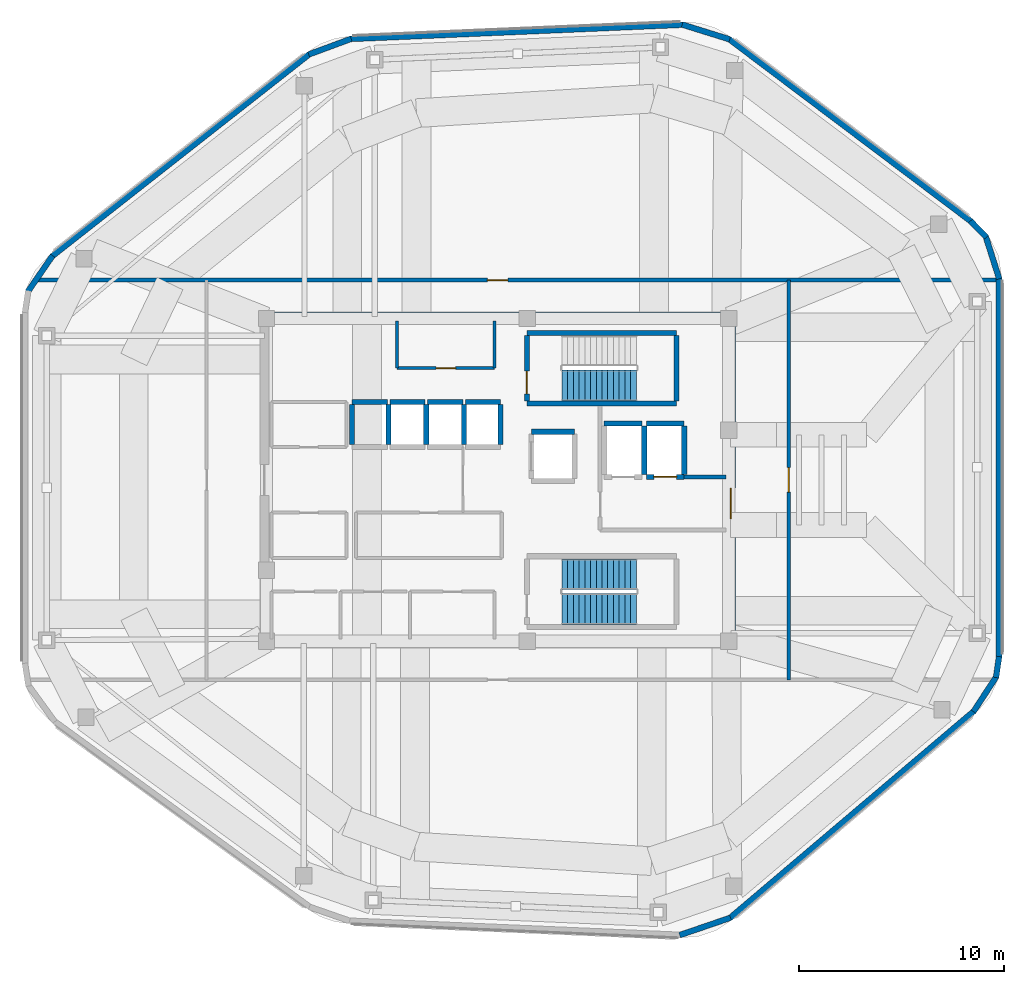
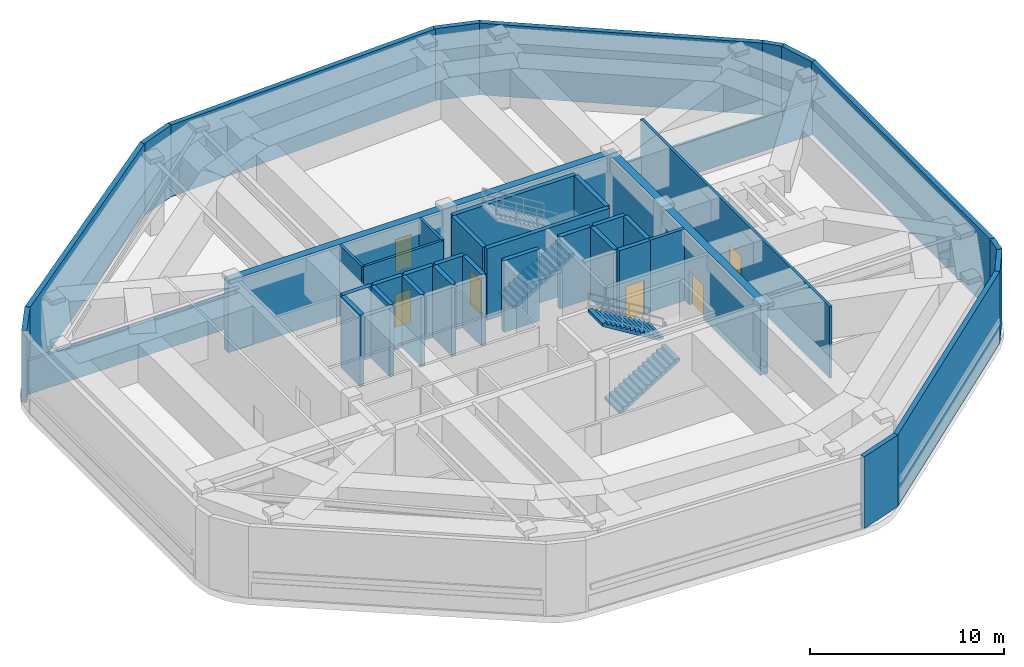
# One storey, part 4 of 7: 40 walls, 6 doors, 3 stair flights, 6 openings, 2 elements without a shape of their own.
"""IFC4 building model written with IfcOpenShell, lengths in metres."""

from ifc_helpers import new_model, si_unit, direction, frame, frame_2d, origin, place, context, subcontext, project, spatial, polyline, rectangle, outline, extrude, material, layer, layer_set, type_object, element, fill, aggregate, save


model = new_model("IFC4")

# Units and contexts
model_context = context("Model", 3, precision=1e-05, world=origin(), true_north=direction((0.0, 1.0)))
body_context = subcontext(model_context, "Body", "Model", "MODEL_VIEW")
ifc_project = project(units=[si_unit("LENGTHUNIT", "METRE"), si_unit("AREAUNIT", "SQUARE_METRE"), si_unit("VOLUMEUNIT", "CUBIC_METRE"), si_unit("PLANEANGLEUNIT", "RADIAN"), si_unit("MASSUNIT", "GRAM", prefix="KILO")], contexts=[model_context])

# Site, building, storey
site_placement = place(None, origin())
site = spatial("IfcSite", under=ifc_project, at=site_placement, CompositionType="ELEMENT")
building_placement = place(site_placement, origin())
building = spatial("IfcBuilding", under=site, at=building_placement, Name="Zulverin Broadcast Headquarters", CompositionType="ELEMENT")
storey_placement = place(building_placement, frame((0.0, 0.0, 308.60009765625)))
storey = spatial("IfcBuildingStorey", under=building, at=storey_placement, Name="L79", CompositionType="ELEMENT", Elevation=308.60009765625)

# Wall
ifc_material_1 = material(Name="Concrete C50/60", Category="concrete")
ifc_layer_1 = layer(ifc_material_1, 0.449951171875, Name="Concrete C50/60", Category="concrete")
ifc_layer_set_1 = layer_set([ifc_layer_1], Name="Concrete C50/60")
wall_type_1 = type_object("IfcWallType", Name="WL-CORE-450", PredefinedType="SHEAR", material=ifc_layer_set_1)
wall_1_placement = place(storey_placement, frame((25.39990234375, 33.175048828125, 0.0), z_axis=(0.0, 0.0, 1.0), x_axis=(1.0, 0.0, 0.0)))
element("IfcWall", 1, at=wall_1_placement, inside=storey, type_object=wall_type_1, Name="L79 Core North Shear Wall", PredefinedType="SHEAR", context=body_context, shape_type="SweptSolid", body=[
    extrude(rectangle(XDim=23.2001953125, YDim=0.449951171875, at=frame_2d((11.60009765625, 0.0))), origin(), (0.0, 0.0, 1.0), 4.52001953125),
])

# Wall, opening, door
wall_2_placement = place(storey_placement, frame((48.375, 17.449951171875, 0.0), z_axis=(0.0, 0.0, 1.0), x_axis=(0.0, 1.0, 0.0)))
wall_2 = element("IfcWall", 2, at=wall_2_placement, inside=storey, type_object=wall_type_1, Name="L79 Core East Shear Wall", PredefinedType="SHEAR", context=body_context, shape_type="SweptSolid", body=[
    extrude(rectangle(XDim=15.5, YDim=0.449951171875, at=frame_2d((7.75, 0.0))), origin(), (0.0, 0.0, 1.0), 4.52001953125),
])
opening_1_placement = place(wall_2_placement, frame((5.85009765625, 0.0, 0.0)))
opening_1 = element("IfcOpeningElement", 3, at=opening_1_placement, cuts=wall_2, Name="Opening D-L79-CE1", PredefinedType="OPENING", context=body_context, shape_type="SweptSolid", body=[
    extrude(rectangle(XDim=1.5, YDim=2.14990234375, at=frame_2d((0.75, 1.074951171875))), frame((0.0, 0.23486328125, 0.0), z_axis=(0.0, -1.0, 0.0), x_axis=(1.0, 0.0, 0.0)), (0.0, 0.0, 1.0), 0.469970703125),
])
ifc_material_2 = material(Name="Fire-rated glazed steel frame", Category="steel")
door_type_1 = type_object("IfcDoorType", Name="DR-COR-1500", OperationType="DOUBLE_DOOR_SINGLE_SWING", PredefinedType="DOOR", material=ifc_material_2)
door_1_placement = place(opening_1_placement, origin())
door_1 = element("IfcDoor", 4, at=door_1_placement, inside=storey, type_object=door_type_1, Name="L79 Firefighting Lobby East Corridor Door", OperationType="DOUBLE_DOOR_SINGLE_SWING", OverallHeight=2.14990234375, OverallWidth=1.5, PredefinedType="DOOR", context=body_context, shape_type="SweptSolid", body=[
    extrude(rectangle(XDim=1.5, YDim=2.14990234375, at=frame_2d((0.75, 1.074951171875))), frame((0.0, 0.02490234375, 0.0), z_axis=(0.0, -1.0, 0.0), x_axis=(1.0, 0.0, 0.0)), (0.0, 0.0, 1.0), 0.050048828125),
])
fill(opening_1, door_1)

# Walls
ifc_material_3 = material(Name="Insulated pale-metal clad concrete spandrel C40/50", Category="concrete")
ifc_layer_2 = layer(ifc_material_3, 0.280029296875, Name="Insulated pale-metal clad concrete spandrel C40/50", Category="concrete")
ifc_layer_set_2 = layer_set([ifc_layer_2], Name="Insulated pale-metal clad concrete spandrel C40/50")
wall_type_2 = type_object("IfcWallType", Name="WL-EXT-280", PredefinedType="STANDARD", material=ifc_layer_set_2)
wall_3_placement = place(storey_placement, frame((48.31591796875, 3.81787109375, 0.0), z_axis=(0.0, 0.0, 1.0), x_axis=(0.762789291165, 0.646647119598, 0.0)))
element("IfcWall", 5, at=wall_3_placement, inside=storey, type_object=wall_type_2, Name="L79 Pale-Metal Clad Spandrel Wall 2", PredefinedType="STANDARD", context=body_context, shape_type="SweptSolid", body=[
    extrude(rectangle(XDim=15.62890625, YDim=0.280029296875, at=frame_2d((7.814453125, 0.0))), origin(), (0.0, 0.0, 1.0), 4.52001953125),
])
wall_4_placement = place(storey_placement, frame((61.4599609375, 16.563720703125, 0.0), z_axis=(0.0, 0.0, 1.0), x_axis=(0.0, 1.0, 0.0)))
element("IfcWall", 6, at=wall_4_placement, inside=storey, type_object=wall_type_2, Name="L79 Pale-Metal Clad Spandrel Wall 3", PredefinedType="STANDARD", context=body_context, shape_type="SweptSolid", body=[
    extrude(rectangle(XDim=18.4892578125, YDim=0.280029296875, at=frame_2d((9.24462890625, 0.0))), origin(), (0.0, 0.0, 1.0), 4.52001953125),
])
wall_5_placement = place(storey_placement, frame((60.082275390625, 37.81640625, 0.0), z_axis=(0.0, 0.0, 1.0), x_axis=(-0.798634170009, 0.601816801438, 0.0)))
element("IfcWall", 7, at=wall_5_placement, inside=storey, type_object=wall_type_2, Name="L79 Pale-Metal Clad Spandrel Wall 4", PredefinedType="STANDARD", context=body_context, shape_type="SweptSolid", body=[
    extrude(rectangle(XDim=14.77978515625, YDim=0.280029296875, at=frame_2d((7.389892578125, 0.0))), origin(), (0.0, 0.0, 1.0), 4.52001953125),
])
wall_6_placement = place(storey_placement, frame((46.04833984375, 47.40478515625, 0.0), z_axis=(0.0, 0.0, 1.0), x_axis=(-0.999084905352, -0.0427709235, 0.0)))
element("IfcWall", 8, at=wall_6_placement, inside=storey, type_object=wall_type_2, Name="L79 Pale-Metal Clad Spandrel Wall 5", PredefinedType="STANDARD", context=body_context, shape_type="SweptSolid", body=[
    extrude(rectangle(XDim=16.2509765625, YDim=0.280029296875, at=frame_2d((8.12548828125, 0.0))), origin(), (0.0, 0.0, 1.0), 4.52001953125),
])
wall_7_placement = place(storey_placement, frame((27.822998046875, 45.9736328125, 0.0), z_axis=(0.0, 0.0, 1.0), x_axis=(-0.786382513527, -0.617739866303, 0.0)))
element("IfcWall", 9, at=wall_7_placement, inside=storey, type_object=wall_type_2, Name="L79 Pale-Metal Clad Spandrel Wall 6", PredefinedType="STANDARD", context=body_context, shape_type="SweptSolid", body=[
    extrude(rectangle(XDim=15.97216796875, YDim=0.280029296875, at=frame_2d((7.986083984375, 0.0))), origin(), (0.0, 0.0, 1.0), 4.52001953125),
])
wall_8_placement = place(storey_placement, frame((45.879150390625, 2.99267578125, 0.0), z_axis=(0.0, 0.0, 1.0), x_axis=(0.945959811021, 0.324283881704, 0.0)))
element("IfcWall", 10, at=wall_8_placement, inside=storey, type_object=wall_type_2, Name="L79 Wind-Shaped Corner Spandrel Wall 1-1", PredefinedType="STANDARD", context=body_context, shape_type="SweptSolid", body=[
    extrude(rectangle(XDim=2.623779296875, YDim=0.280029296875, at=frame_2d((1.31201171875, 0.0))), origin(), (0.0, 0.0, 1.0), 4.52001953125),
])
wall_9_placement = place(storey_placement, frame((60.210693359375, 13.89404296875, 0.0), z_axis=(0.0, 0.0, 1.0), x_axis=(0.546663025999, 0.837352695109, 0.0)))
element("IfcWall", 11, at=wall_9_placement, inside=storey, type_object=wall_type_2, Name="L79 Wind-Shaped Corner Spandrel Wall 2-1", PredefinedType="STANDARD", context=body_context, shape_type="SweptSolid", body=[
    extrude(rectangle(XDim=2.053466796875, YDim=0.280029296875, at=frame_2d((1.02685546875, 0.0))), origin(), (0.0, 0.0, 1.0), 4.52001953125),
])
wall_10_placement = place(storey_placement, frame((61.31201171875, 15.55712890625, 0.0), z_axis=(0.0, 0.0, 1.0), x_axis=(0.144023647734, 0.989574246276, 0.0)))
element("IfcWall", 12, at=wall_10_placement, inside=storey, type_object=wall_type_2, Name="L79 Wind-Shaped Corner Spandrel Wall 2-2", PredefinedType="STANDARD", context=body_context, shape_type="SweptSolid", body=[
    extrude(rectangle(XDim=1.037353515625, YDim=0.280029296875, at=frame_2d((0.5185546875, 0.0))), origin(), (0.0, 0.0, 1.0), 4.52001953125),
])
wall_11_placement = place(storey_placement, frame((61.466552734375, 35.010498046875, 0.0), z_axis=(0.0, 0.0, 1.0), x_axis=(-0.303461906599, 0.952843571235, 0.0)))
element("IfcWall", 13, at=wall_11_placement, inside=storey, type_object=wall_type_2, Name="L79 Wind-Shaped Corner Spandrel Wall 3-1", PredefinedType="STANDARD", context=body_context, shape_type="SweptSolid", body=[
    extrude(rectangle(XDim=2.18505859375, YDim=0.280029296875, at=frame_2d((1.092529296875, 0.0))), origin(), (0.0, 0.0, 1.0), 4.52001953125),
])
wall_12_placement = place(storey_placement, frame((60.83642578125, 37.03759765625, 0.0), z_axis=(0.0, 0.0, 1.0), x_axis=(-0.69665259331, 0.717408645219, 0.0)))
element("IfcWall", 14, at=wall_12_placement, inside=storey, type_object=wall_type_2, Name="L79 Wind-Shaped Corner Spandrel Wall 3-2", PredefinedType="STANDARD", context=body_context, shape_type="SweptSolid", body=[
    extrude(rectangle(XDim=1.105712890625, YDim=0.280029296875, at=frame_2d((0.552734375, 0.0))), origin(), (0.0, 0.0, 1.0), 4.52001953125),
])
wall_13_placement = place(storey_placement, frame((48.3212890625, 46.689453125, 0.0), z_axis=(0.0, 0.0, 1.0), x_axis=(-0.954888433756, 0.296964777505, 0.0)))
element("IfcWall", 15, at=wall_13_placement, inside=storey, type_object=wall_type_2, Name="L79 Wind-Shaped Corner Spandrel Wall 4-1", PredefinedType="STANDARD", context=body_context, shape_type="SweptSolid", body=[
    extrude(rectangle(XDim=2.43017578125, YDim=0.280029296875, at=frame_2d((1.215087890625, 0.0))), origin(), (0.0, 0.0, 1.0), 4.52001953125),
])
wall_14_placement = place(storey_placement, frame((29.854736328125, 46.71826171875, 0.0), z_axis=(0.0, 0.0, 1.0), x_axis=(-0.937856802349, -0.347022504007, 0.0)))
element("IfcWall", 16, at=wall_14_placement, inside=storey, type_object=wall_type_2, Name="L79 Wind-Shaped Corner Spandrel Wall 5-1", PredefinedType="STANDARD", context=body_context, shape_type="SweptSolid", body=[
    extrude(rectangle(XDim=2.20703125, YDim=0.280029296875, at=frame_2d((1.103515625, 0.0))), origin(), (0.0, 0.0, 1.0), 4.52001953125),
])
wall_15_placement = place(storey_placement, frame((15.29150390625, 36.1376953125, 0.0), z_axis=(0.0, 0.0, 1.0), x_axis=(-0.567356835945, -0.823472052171, 0.0)))
element("IfcWall", 17, at=wall_15_placement, inside=storey, type_object=wall_type_2, Name="L79 Wind-Shaped Corner Spandrel Wall 6-1", PredefinedType="STANDARD", context=body_context, shape_type="SweptSolid", body=[
    extrude(rectangle(XDim=2.13916015625, YDim=0.280029296875, at=frame_2d((1.069580078125, 0.0))), origin(), (0.0, 0.0, 1.0), 4.52001953125),
])
ifc_material_4 = material(Name="Concrete C40/50", Category="concrete")
ifc_layer_3 = layer(ifc_material_4, 0.199951171875, Name="Concrete C40/50", Category="concrete")
ifc_layer_set_3 = layer_set([ifc_layer_3], Name="Concrete C40/50")
wall_type_3 = type_object("IfcWallType", Name="WL-FFL-200", PredefinedType="SOLIDWALL", material=ifc_layer_set_3)
wall_16_placement = place(storey_placement, frame((46.10009765625, 25.35009765625, 0.0), z_axis=(0.0, 0.0, 1.0), x_axis=(1.0, 0.0, 0.0)))
element("IfcWall", 18, at=wall_16_placement, inside=storey, type_object=wall_type_3, Name="L79 Firefighting Lift Lobby North Wall", PredefinedType="SOLIDWALL", context=body_context, shape_type="SweptSolid", body=[
    extrude(rectangle(XDim=2.0498046875, YDim=0.199951171875, at=frame_2d((1.02490234375, 0.0))), origin(), (0.0, 0.0, 1.0), 4.52001953125),
])

# Wall, opening, door
ifc_material_5 = material(Name="Fire-rated gypsum stud partition", Category="gypsum")
ifc_layer_4 = layer(ifc_material_5, 0.14990234375, Name="Fire-rated gypsum stud partition", Category="gypsum")
ifc_layer_set_4 = layer_set([ifc_layer_4], Name="Fire-rated gypsum stud partition")
wall_type_4 = type_object("IfcWallType", Name="WL-PART-150", PredefinedType="PARTITIONING", material=ifc_layer_set_4)
wall_17_placement = place(storey_placement, frame((32.10009765625, 30.64990234375, 0.0), z_axis=(0.0, 0.0, 1.0), x_axis=(1.0, 0.0, 0.0)))
wall_17 = element("IfcWall", 19, at=wall_17_placement, inside=storey, type_object=wall_type_4, Name="L79 Core Accessible WC & Electrical Riser Front Wall", PredefinedType="PARTITIONING", context=body_context, shape_type="SweptSolid", body=[
    extrude(rectangle(XDim=4.75, YDim=0.14990234375, at=frame_2d((2.375, 0.0))), origin(), (0.0, 0.0, 1.0), 4.52001953125),
])
opening_2_placement = place(wall_17_placement, frame((1.89990234375, 0.0, 0.0)))
opening_2 = element("IfcOpeningElement", 20, at=opening_2_placement, cuts=wall_17, Name="Opening D-L79-NC1", PredefinedType="OPENING", context=body_context, shape_type="SweptSolid", body=[
    extrude(rectangle(XDim=0.949951171875, YDim=2.10009765625, at=frame_2d((0.47509765625, 1.050048828125))), frame((0.0, 0.0849609375, 0.0), z_axis=(0.0, -1.0, 0.0), x_axis=(1.0, 0.0, 0.0)), (0.0, 0.0, 1.0), 0.169921875),
])
ifc_material_6 = material(Name="Fire-rated moisture-resistant laminate leaf", Category="wood")
door_type_2 = type_object("IfcDoorType", Name="DR-WC-950", OperationType="SINGLE_SWING_LEFT", PredefinedType="DOOR", material=ifc_material_6)
door_2_placement = place(opening_2_placement, origin())
door_2 = element("IfcDoor", 21, at=door_2_placement, inside=storey, type_object=door_type_2, Name="L79 Accessible WC & Electrical Riser Door", OperationType="SINGLE_SWING_LEFT", OverallHeight=2.10009765625, OverallWidth=0.949951171875, PredefinedType="DOOR", context=body_context, shape_type="SweptSolid", body=[
    extrude(rectangle(XDim=0.949951171875, YDim=2.10009765625, at=frame_2d((0.47509765625, 1.050048828125))), frame((0.0, 0.02490234375, 0.0), z_axis=(0.0, -1.0, 0.0), x_axis=(1.0, 0.0, 0.0)), (0.0, 0.0, 1.0), 0.050048828125),
])
fill(opening_2, door_2)

# Walls
for number, where, z_axis, x_axis, name in (
    (22, (32.10009765625, 30.64990234375, 0.0), (0.0, 0.0, 1.0), (0.0, 1.0, 0.0), "L79 Core Accessible WC & Electrical Riser West Wall"),
    (23, (36.85009765625, 30.64990234375, 0.0), (0.0, 0.0, 1.0), (0.0, 1.0, 0.0), "L79 Core Accessible WC & Electrical Riser East Wall"),
):
    element("IfcWall", number, at=place(storey_placement, frame(where, z_axis=z_axis, x_axis=x_axis)), inside=storey, type_object=wall_type_4, Name=name, PredefinedType="PARTITIONING", context=body_context, shape_type="SweptSolid", body=[
        extrude(rectangle(XDim=2.300048828125, YDim=0.14990234375, at=frame_2d((1.14990234375, 0.0))), origin(), (0.0, 0.0, 1.0), 4.52001953125),
    ])

# Wall, opening, door
wall_18_placement = place(storey_placement, frame((51.199951171875, 15.449951171875, 0.0), z_axis=(0.0, 0.0, 1.0), x_axis=(0.0, 1.0, 0.0)))
wall_18 = element("IfcWall", 24, at=wall_18_placement, inside=storey, type_object=wall_type_4, Name="L79 Gallery Partition Wall CG-01", PredefinedType="PARTITIONING", context=body_context, shape_type="SweptSolid", body=[
    extrude(rectangle(XDim=19.5, YDim=0.14990234375, at=frame_2d((9.75, 0.0))), origin(), (0.0, 0.0, 1.0), 4.52001953125),
])
opening_3_placement = place(wall_18_placement, frame((9.14990234375, 0.0, 0.0)))
opening_3 = element("IfcOpeningElement", 25, at=opening_3_placement, cuts=wall_18, Name="Opening D-L79-REF", PredefinedType="OPENING", context=body_context, shape_type="SweptSolid", body=[
    extrude(rectangle(XDim=1.199951171875, YDim=2.14990234375, at=frame_2d((0.60009765625, 1.074951171875))), frame((0.0, 0.0849609375, 0.0), z_axis=(0.0, -1.0, 0.0), x_axis=(1.0, 0.0, 0.0)), (0.0, 0.0, 1.0), 0.169921875),
])
ifc_material_7 = material(Name="Fire-rated steel leaf and frame", Category="steel")
door_type_3 = type_object("IfcDoorType", Name="DR-FFL-1200", OperationType="SINGLE_SWING_RIGHT", PredefinedType="DOOR", material=ifc_material_7)
door_3_placement = place(opening_3_placement, origin())
door_3 = element("IfcDoor", 26, at=door_3_placement, inside=storey, type_object=door_type_3, Name="L79 Designated Fire Refuge Area Door", OperationType="SINGLE_SWING_LEFT", OverallHeight=2.14990234375, OverallWidth=1.199951171875, PredefinedType="DOOR", context=body_context, shape_type="SweptSolid", body=[
    extrude(rectangle(XDim=1.199951171875, YDim=2.14990234375, at=frame_2d((0.60009765625, 1.074951171875))), frame((0.0, 0.02490234375, 0.0), z_axis=(0.0, -1.0, 0.0), x_axis=(1.0, 0.0, 0.0)), (0.0, 0.0, 1.0), 0.050048828125),
])
fill(opening_3, door_3)

ifc_material_8 = material(Name="Fire-rated acoustic stud wall", Category="gypsum")
ifc_layer_5 = layer(ifc_material_8, 0.175048828125, Name="Fire-rated acoustic stud wall", Category="gypsum")
ifc_layer_set_5 = layer_set([ifc_layer_5], Name="Fire-rated acoustic stud wall")
wall_type_5 = type_object("IfcWallType", Name="WL-PART-175", PredefinedType="PARTITIONING", material=ifc_layer_set_5)
wall_19_placement = place(storey_placement, frame((14.407958984375, 34.949951171875, 0.0), z_axis=(0.0, 0.0, 1.0), x_axis=(1.0, 0.0, 0.0)))
wall_19 = element("IfcWall", 27, at=wall_19_placement, inside=storey, type_object=wall_type_5, Name="L79 Gallery Partition Wall CG-04", PredefinedType="PARTITIONING", context=body_context, shape_type="SweptSolid", body=[
    extrude(rectangle(XDim=46.987060546875, YDim=0.175048828125, at=frame_2d((23.49365234375, 0.0))), origin(), (0.0, 0.0, 1.0), 2.119873046875),
])
opening_4_placement = place(wall_19_placement, frame((22.092041015625, 0.0, 0.0)))
opening_4 = element("IfcOpeningElement", 28, at=opening_4_placement, cuts=wall_19, Name="Opening D-L79-AHU", PredefinedType="OPENING", context=body_context, shape_type="SweptSolid", body=[
    extrude(rectangle(XDim=1.0, YDim=2.0400390625, at=frame_2d((0.5, 1.02001953125))), frame((0.0, 0.097412109375, 0.0), z_axis=(0.0, -1.0, 0.0), x_axis=(1.0, 0.0, 0.0)), (0.0, 0.0, 1.0), 0.195068359375),
])
ifc_material_9 = material(Name="Fire-rated steel plant room leaf", Category="steel")
door_type_4 = type_object("IfcDoorType", Name="DR-PLT-2040", OperationType="SINGLE_SWING_LEFT", PredefinedType="DOOR", material=ifc_material_9)
door_4_placement = place(opening_4_placement, origin())
door_4 = element("IfcDoor", 29, at=door_4_placement, inside=storey, type_object=door_type_4, Name="L79 Air Handling & Smoke Control Plant Room Door", OperationType="SINGLE_SWING_RIGHT", OverallHeight=2.0400390625, OverallWidth=1.0, PredefinedType="DOOR", context=body_context, shape_type="SweptSolid", body=[
    extrude(rectangle(XDim=1.0, YDim=2.0400390625, at=frame_2d((0.5, 1.02001953125))), frame((0.0, 0.02490234375, 0.0), z_axis=(0.0, -1.0, 0.0), x_axis=(1.0, 0.0, 0.0)), (0.0, 0.0, 1.0), 0.050048828125),
])
fill(opening_4, door_4)

# Walls
ifc_layer_6 = layer(ifc_material_1, 0.25, Name="Concrete C50/60", Category="concrete")
ifc_layer_set_6 = layer_set([ifc_layer_6], Name="Concrete C50/60")
wall_type_6 = type_object("IfcWallType", Name="WL-SHAFT-250", PredefinedType="SHEAR", material=ifc_layer_set_6)
for number, where, z_axis, x_axis, name in (
    (30, (38.425048828125, 28.925048828125, 0.0), (0.0, 0.0, 1.0), (1.0, 0.0, 0.0), "L79 ST-1 Enclosure Wall S"),
    (31, (38.425048828125, 32.375, 0.0), (0.0, 0.0, 1.0), (1.0, 0.0, 0.0), "L79 ST-1 Enclosure Wall N"),
):
    element("IfcWall", number, at=place(storey_placement, frame(where, z_axis=z_axis, x_axis=x_axis)), inside=storey, type_object=wall_type_6, Name=name, PredefinedType="SHEAR", context=body_context, shape_type="SweptSolid", body=[
        extrude(rectangle(XDim=7.300048828125, YDim=0.25, at=frame_2d((3.64990234375, 0.0))), origin(), (0.0, 0.0, 1.0), 4.52001953125),
    ])

# Wall, opening, door
wall_20_placement = place(storey_placement, frame((38.425048828125, 29.050048828125, 0.0), z_axis=(0.0, 0.0, 1.0), x_axis=(0.0, 1.0, 0.0)))
wall_20 = element("IfcWall", 32, at=wall_20_placement, inside=storey, type_object=wall_type_6, Name="L79 ST-1 Enclosure Wall W", PredefinedType="SHEAR", context=body_context, shape_type="SweptSolid", body=[
    extrude(rectangle(XDim=3.199951171875, YDim=0.25, at=frame_2d((1.60009765625, 0.0))), origin(), (0.0, 0.0, 1.0), 4.52001953125),
])
opening_5_placement = place(wall_20_placement, frame((0.35009765625, 0.0, 0.0)))
opening_5 = element("IfcOpeningElement", 33, at=opening_5_placement, cuts=wall_20, Name="Opening D-L79-ST-1", PredefinedType="OPENING", context=body_context, shape_type="SweptSolid", body=[
    extrude(rectangle(XDim=1.10009765625, YDim=2.14990234375, at=frame_2d((0.550048828125, 1.074951171875))), frame((0.0, 0.135009765625, 0.0), z_axis=(0.0, -1.0, 0.0), x_axis=(1.0, 0.0, 0.0)), (0.0, 0.0, 1.0), 0.27001953125),
])
door_type_5 = type_object("IfcDoorType", Name="DR-STAIR-1100", OperationType="SINGLE_SWING_LEFT", PredefinedType="DOOR", material=ifc_material_7)
door_5_placement = place(opening_5_placement, origin())
door_5 = element("IfcDoor", 34, at=door_5_placement, inside=storey, type_object=door_type_5, Name="L79 Exit Stair ST-1 Fire Door", OperationType="SINGLE_SWING_LEFT", OverallHeight=2.14990234375, OverallWidth=1.10009765625, PredefinedType="DOOR", context=body_context, shape_type="SweptSolid", body=[
    extrude(rectangle(XDim=1.10009765625, YDim=2.14990234375, at=frame_2d((0.550048828125, 1.074951171875))), frame((0.0, 0.02490234375, 0.0), z_axis=(0.0, -1.0, 0.0), x_axis=(1.0, 0.0, 0.0)), (0.0, 0.0, 1.0), 0.050048828125),
])
fill(opening_5, door_5)

# Walls
wall_21_placement = place(storey_placement, frame((45.72509765625, 29.050048828125, 0.0), z_axis=(0.0, 0.0, 1.0), x_axis=(0.0, 1.0, 0.0)))
element("IfcWall", 35, at=wall_21_placement, inside=storey, type_object=wall_type_6, Name="L79 ST-1 Enclosure Wall E", PredefinedType="SHEAR", context=body_context, shape_type="SweptSolid", body=[
    extrude(rectangle(XDim=3.199951171875, YDim=0.25, at=frame_2d((1.60009765625, 0.0))), origin(), (0.0, 0.0, 1.0), 4.52001953125),
])
wall_22_placement = place(storey_placement, frame((29.89990234375, 29.0, 0.0), z_axis=(0.0, 0.0, 1.0), x_axis=(1.0, 0.0, 0.0)))
element("IfcWall", 36, at=wall_22_placement, inside=storey, type_object=wall_type_6, Name="L79 Lift PL-H1 Shaft Wall N", PredefinedType="SHEAR", context=body_context, shape_type="SweptSolid", body=[
    extrude(rectangle(XDim=1.72021484375, YDim=0.25, at=frame_2d((0.860107421875, 0.0))), origin(), (0.0, 0.0, 1.0), 4.52001953125),
])
for number, where, z_axis, x_axis, name in (
    (37, (29.89990234375, 26.919921875, 0.0), (0.0, 0.0, 1.0), (0.0, 1.0, 0.0), "L79 Lift PL-H1 Shaft Wall W"),
    (38, (31.679931640625, 26.919921875, 0.0), (0.0, 0.0, 1.0), (0.0, 1.0, 0.0), "L79 Lift PL-H1 Shaft Wall E"),
):
    element("IfcWall", number, at=place(storey_placement, frame(where, z_axis=z_axis, x_axis=x_axis)), inside=storey, type_object=wall_type_6, Name=name, PredefinedType="SHEAR", context=body_context, shape_type="SweptSolid", body=[
        extrude(rectangle(XDim=1.9599609375, YDim=0.25, at=frame_2d((0.97998046875, 0.0))), origin(), (0.0, 0.0, 1.0), 4.52001953125),
    ])
wall_23_placement = place(storey_placement, frame((31.739990234375, 29.0, 0.0), z_axis=(0.0, 0.0, 1.0), x_axis=(1.0, 0.0, 0.0)))
element("IfcWall", 39, at=wall_23_placement, inside=storey, type_object=wall_type_6, Name="L79 Lift PL-H2 Shaft Wall N", PredefinedType="SHEAR", context=body_context, shape_type="SweptSolid", body=[
    extrude(rectangle(XDim=1.719970703125, YDim=0.25, at=frame_2d((0.85986328125, 0.0))), origin(), (0.0, 0.0, 1.0), 4.52001953125),
])
wall_24_placement = place(storey_placement, frame((33.52001953125, 26.919921875, 0.0), z_axis=(0.0, 0.0, 1.0), x_axis=(0.0, 1.0, 0.0)))
element("IfcWall", 40, at=wall_24_placement, inside=storey, type_object=wall_type_6, Name="L79 Lift PL-H2 Shaft Wall E", PredefinedType="SHEAR", context=body_context, shape_type="SweptSolid", body=[
    extrude(rectangle(XDim=1.9599609375, YDim=0.25, at=frame_2d((0.97998046875, 0.0))), origin(), (0.0, 0.0, 1.0), 4.52001953125),
])
wall_25_placement = place(storey_placement, frame((33.580078125, 29.0, 0.0), z_axis=(0.0, 0.0, 1.0), x_axis=(1.0, 0.0, 0.0)))
element("IfcWall", 41, at=wall_25_placement, inside=storey, type_object=wall_type_6, Name="L79 Lift PL-H3 Shaft Wall N", PredefinedType="SHEAR", context=body_context, shape_type="SweptSolid", body=[
    extrude(rectangle(XDim=1.719970703125, YDim=0.25, at=frame_2d((0.85986328125, 0.0))), origin(), (0.0, 0.0, 1.0), 4.52001953125),
])
wall_26_placement = place(storey_placement, frame((35.360107421875, 26.919921875, 0.0), z_axis=(0.0, 0.0, 1.0), x_axis=(0.0, 1.0, 0.0)))
element("IfcWall", 42, at=wall_26_placement, inside=storey, type_object=wall_type_6, Name="L79 Lift PL-H3 Shaft Wall E", PredefinedType="SHEAR", context=body_context, shape_type="SweptSolid", body=[
    extrude(rectangle(XDim=1.9599609375, YDim=0.25, at=frame_2d((0.97998046875, 0.0))), origin(), (0.0, 0.0, 1.0), 4.52001953125),
])
wall_27_placement = place(storey_placement, frame((35.419921875, 29.0, 0.0), z_axis=(0.0, 0.0, 1.0), x_axis=(1.0, 0.0, 0.0)))
element("IfcWall", 43, at=wall_27_placement, inside=storey, type_object=wall_type_6, Name="L79 Lift PL-H4 Shaft Wall N", PredefinedType="SHEAR", context=body_context, shape_type="SweptSolid", body=[
    extrude(rectangle(XDim=1.719970703125, YDim=0.25, at=frame_2d((0.85986328125, 0.0))), origin(), (0.0, 0.0, 1.0), 4.52001953125),
])
wall_28_placement = place(storey_placement, frame((37.139892578125, 26.919921875, 0.0), z_axis=(0.0, 0.0, 1.0), x_axis=(0.0, 1.0, 0.0)))
element("IfcWall", 44, at=wall_28_placement, inside=storey, type_object=wall_type_6, Name="L79 Lift PL-H4 Shaft Wall E", PredefinedType="SHEAR", context=body_context, shape_type="SweptSolid", body=[
    extrude(rectangle(XDim=1.9599609375, YDim=0.25, at=frame_2d((0.97998046875, 0.0))), origin(), (0.0, 0.0, 1.0), 4.52001953125),
])
wall_29_placement = place(storey_placement, frame((42.199951171875, 27.949951171875, 0.0), z_axis=(0.0, 0.0, 1.0), x_axis=(1.0, 0.0, 0.0)))
element("IfcWall", 45, at=wall_29_placement, inside=storey, type_object=wall_type_6, Name="L79 Lift FFL-1 Shaft Wall N", PredefinedType="SHEAR", context=body_context, shape_type="SweptSolid", body=[
    extrude(rectangle(XDim=1.85009765625, YDim=0.25, at=frame_2d((0.925048828125, 0.0))), origin(), (0.0, 0.0, 1.0), 4.52001953125),
])
wall_30_placement = place(storey_placement, frame((44.14990234375, 25.469970703125, 0.0), z_axis=(0.0, 0.0, 1.0), x_axis=(0.0, 1.0, 0.0)))
element("IfcWall", 46, at=wall_30_placement, inside=storey, type_object=wall_type_6, Name="L79 Lift FFL-1 Shaft Wall E", PredefinedType="SHEAR", context=body_context, shape_type="SweptSolid", body=[
    extrude(rectangle(XDim=2.360107421875, YDim=0.25, at=frame_2d((1.18017578125, 0.0))), origin(), (0.0, 0.0, 1.0), 4.52001953125),
])

# Wall, opening, door
wall_31_placement = place(storey_placement, frame((44.25, 25.35009765625, 0.0), z_axis=(0.0, 0.0, 1.0), x_axis=(1.0, 0.0, 0.0)))
wall_31 = element("IfcWall", 47, at=wall_31_placement, inside=storey, type_object=wall_type_6, Name="L79 Lift FFL-2 Shaft Wall S", PredefinedType="SHEAR", context=body_context, shape_type="SweptSolid", body=[
    extrude(rectangle(XDim=1.85009765625, YDim=0.25, at=frame_2d((0.925048828125, 0.0))), origin(), (0.0, 0.0, 1.0), 4.52001953125),
])
opening_6_placement = place(wall_31_placement, frame((0.375, 0.0, 0.0)))
opening_6 = element("IfcOpeningElement", 48, at=opening_6_placement, cuts=wall_31, Name="Opening LD-FFL-2-L79", PredefinedType="OPENING", context=body_context, shape_type="SweptSolid", body=[
    extrude(rectangle(XDim=1.10009765625, YDim=2.14990234375, at=frame_2d((0.550048828125, 1.074951171875))), frame((0.0, 0.135009765625, 0.0), z_axis=(0.0, -1.0, 0.0), x_axis=(1.0, 0.0, 0.0)), (0.0, 0.0, 1.0), 0.27001953125),
])
ifc_material_10 = material(Name="Fire-rated stainless landing door", Category="steel")
door_type_6 = type_object("IfcDoorType", Name="LD-FFL-1100", OperationType="DOUBLE_DOOR_SLIDING", PredefinedType="DOOR", material=ifc_material_10)
door_6_placement = place(opening_6_placement, origin())
door_6 = element("IfcDoor", 49, at=door_6_placement, inside=storey, type_object=door_type_6, Name="L79 Lift FFL-2 Sliding Landing Door", OperationType="DOUBLE_DOOR_SLIDING", OverallHeight=2.14990234375, OverallWidth=1.10009765625, PredefinedType="DOOR", context=body_context, shape_type="SweptSolid", body=[
    extrude(rectangle(XDim=1.10009765625, YDim=2.14990234375, at=frame_2d((0.550048828125, 1.074951171875))), frame((0.0, 0.02490234375, 0.0), z_axis=(0.0, -1.0, 0.0), x_axis=(1.0, 0.0, 0.0)), (0.0, 0.0, 1.0), 0.050048828125),
])
fill(opening_6, door_6)

# Walls
wall_32_placement = place(storey_placement, frame((44.25, 27.949951171875, 0.0), z_axis=(0.0, 0.0, 1.0), x_axis=(1.0, 0.0, 0.0)))
element("IfcWall", 50, at=wall_32_placement, inside=storey, type_object=wall_type_6, Name="L79 Lift FFL-2 Shaft Wall N", PredefinedType="SHEAR", context=body_context, shape_type="SweptSolid", body=[
    extrude(rectangle(XDim=1.85009765625, YDim=0.25, at=frame_2d((0.925048828125, 0.0))), origin(), (0.0, 0.0, 1.0), 4.52001953125),
])
wall_33_placement = place(storey_placement, frame((46.10009765625, 25.469970703125, 0.0), z_axis=(0.0, 0.0, 1.0), x_axis=(0.0, 1.0, 0.0)))
element("IfcWall", 51, at=wall_33_placement, inside=storey, type_object=wall_type_6, Name="L79 Lift FFL-2 Shaft Wall E", PredefinedType="SHEAR", context=body_context, shape_type="SweptSolid", body=[
    extrude(rectangle(XDim=2.360107421875, YDim=0.25, at=frame_2d((1.18017578125, 0.0))), origin(), (0.0, 0.0, 1.0), 4.52001953125),
])
wall_34_placement = place(storey_placement, frame((38.64990234375, 27.550048828125, 0.0), z_axis=(0.0, 0.0, 1.0), x_axis=(1.0, 0.0, 0.0)))
element("IfcWall", 52, at=wall_34_placement, inside=storey, type_object=wall_type_6, Name="L79 Lift SVL-1 Shaft Wall N", PredefinedType="SHEAR", context=body_context, shape_type="SweptSolid", body=[
    extrude(rectangle(XDim=2.10009765625, YDim=0.25, at=frame_2d((1.050048828125, 0.0))), origin(), (0.0, 0.0, 1.0), 4.52001953125),
])

# Stair, stair flight
stair_type = type_object("IfcStairType", Name="ST-CORE-1500", PredefinedType="HALF_TURN_STAIR", material=ifc_material_4)
stair_1_placement = place(storey_placement, origin())
stair_1 = element("IfcStair", 53, at=stair_1_placement, inside=storey, type_object=stair_type, Name="L79 Core Exit Stair ST-1", PredefinedType="HALF_TURN_STAIR")
stair_flight_type = type_object("IfcStairFlightType", Name="SF-CORE-1500", PredefinedType="STRAIGHT", material=ifc_material_4)
stair_flight_1_placement = place(storey_placement, frame((40.1298828125, 29.800048828125, 0.0), z_axis=(0.0, 0.0, 1.0), x_axis=(1.0, 0.0, 0.0)))
stair_flight_1 = element("IfcStairFlight", 54, at=stair_flight_1_placement, type_object=stair_flight_type, Name="ST-1 flight 1", NumberOfRisers=14, NumberOfTreads=13, PredefinedType="STRAIGHT", RiserHeight=0.171428571, TreadLength=0.28, context=body_context, shape_type="SweptSolid", body=[
    extrude(outline(polyline([(0.0, 0.0), (0.0, 0.17138671875), (0.280029296875, 0.17138671875), (0.280029296875, 0.3427734375), (0.56005859375, 0.3427734375), (0.56005859375, 0.514404296875), (0.840087890625, 0.514404296875), (0.840087890625, 0.685791015625), (1.1201171875, 0.685791015625), (1.1201171875, 0.857177734375), (1.39990234375, 0.857177734375), (1.39990234375, 1.028564453125), (1.679931640625, 1.028564453125), (1.679931640625, 1.199951171875), (1.9599609375, 1.199951171875), (1.9599609375, 1.371337890625), (2.239990234375, 1.371337890625), (2.239990234375, 1.54296875), (2.52001953125, 1.54296875), (2.52001953125, 1.71435546875), (2.800048828125, 1.71435546875), (2.800048828125, 1.8857421875), (3.080078125, 1.8857421875), (3.080078125, 2.05712890625), (3.360107421875, 2.05712890625), (3.360107421875, 2.228515625), (3.639892578125, 2.228515625), (3.639892578125, 2.39990234375), (3.639892578125, 2.052734375), (0.287109375, 0.0), (0.0, 0.0)])), frame((0.0, 0.75, 0.0), z_axis=(0.0, -1.0, 0.0), x_axis=(1.0, 0.0, 0.0)), (0.0, 0.0, 1.0), 1.5),
])
aggregate(stair_1, [stair_flight_1])

# Stair, stair flights
stair_2_placement = place(storey_placement, origin())
stair_2 = element("IfcStair", 55, at=stair_2_placement, inside=storey, type_object=stair_type, Name="L79 Core Exit Stair ST-2", PredefinedType="HALF_TURN_STAIR")
stair_flight_2_placement = place(storey_placement, frame((40.1298828125, 18.89990234375, 0.0), z_axis=(0.0, 0.0, 1.0), x_axis=(1.0, 0.0, 0.0)))
stair_flight_2 = element("IfcStairFlight", 56, at=stair_flight_2_placement, type_object=stair_flight_type, Name="ST-2 flight 1", NumberOfRisers=14, NumberOfTreads=13, PredefinedType="STRAIGHT", RiserHeight=0.171428571, TreadLength=0.28, context=body_context, shape_type="SweptSolid", body=[
    extrude(outline(polyline([(0.0, 0.0), (0.0, 0.17138671875), (0.280029296875, 0.17138671875), (0.280029296875, 0.3427734375), (0.56005859375, 0.3427734375), (0.56005859375, 0.514404296875), (0.840087890625, 0.514404296875), (0.840087890625, 0.685791015625), (1.1201171875, 0.685791015625), (1.1201171875, 0.857177734375), (1.39990234375, 0.857177734375), (1.39990234375, 1.028564453125), (1.679931640625, 1.028564453125), (1.679931640625, 1.199951171875), (1.9599609375, 1.199951171875), (1.9599609375, 1.371337890625), (2.239990234375, 1.371337890625), (2.239990234375, 1.54296875), (2.52001953125, 1.54296875), (2.52001953125, 1.71435546875), (2.800048828125, 1.71435546875), (2.800048828125, 1.8857421875), (3.080078125, 1.8857421875), (3.080078125, 2.05712890625), (3.360107421875, 2.05712890625), (3.360107421875, 2.228515625), (3.639892578125, 2.228515625), (3.639892578125, 2.39990234375), (3.639892578125, 2.052734375), (0.287109375, 0.0), (0.0, 0.0)])), frame((0.0, 0.75, 0.0), z_axis=(0.0, -1.0, 0.0), x_axis=(1.0, 0.0, 0.0)), (0.0, 0.0, 1.0), 1.5),
])
stair_flight_3_placement = place(storey_placement, frame((43.77001953125, 20.60009765625, 2.39990234375), z_axis=(0.0, 0.0, 1.0), x_axis=(-1.0, 0.0, 0.0)))
stair_flight_3 = element("IfcStairFlight", 57, at=stair_flight_3_placement, type_object=stair_flight_type, Name="ST-2 flight 2", NumberOfRisers=14, NumberOfTreads=13, PredefinedType="STRAIGHT", RiserHeight=0.171428571, TreadLength=0.28, context=body_context, shape_type="SweptSolid", body=[
    extrude(outline(polyline([(0.0, 0.0), (0.0, 0.17138671875), (0.280029296875, 0.17138671875), (0.280029296875, 0.3427734375), (0.56005859375, 0.3427734375), (0.56005859375, 0.514404296875), (0.840087890625, 0.514404296875), (0.840087890625, 0.685791015625), (1.1201171875, 0.685791015625), (1.1201171875, 0.857177734375), (1.39990234375, 0.857177734375), (1.39990234375, 1.028564453125), (1.679931640625, 1.028564453125), (1.679931640625, 1.199951171875), (1.9599609375, 1.199951171875), (1.9599609375, 1.371337890625), (2.239990234375, 1.371337890625), (2.239990234375, 1.54296875), (2.52001953125, 1.54296875), (2.52001953125, 1.71435546875), (2.800048828125, 1.71435546875), (2.800048828125, 1.8857421875), (3.080078125, 1.8857421875), (3.080078125, 2.05712890625), (3.360107421875, 2.05712890625), (3.360107421875, 2.228515625), (3.639892578125, 2.228515625), (3.639892578125, 2.39990234375), (3.639892578125, 2.052734375), (0.287109375, 0.0), (0.0, 0.0)])), frame((0.0, 0.75, 0.0), z_axis=(0.0, -1.0, 0.0), x_axis=(1.0, 0.0, 0.0)), (0.0, 0.0, 1.0), 1.5),
])
aggregate(stair_2, [stair_flight_2, stair_flight_3])

save(model, "model.ifc")
